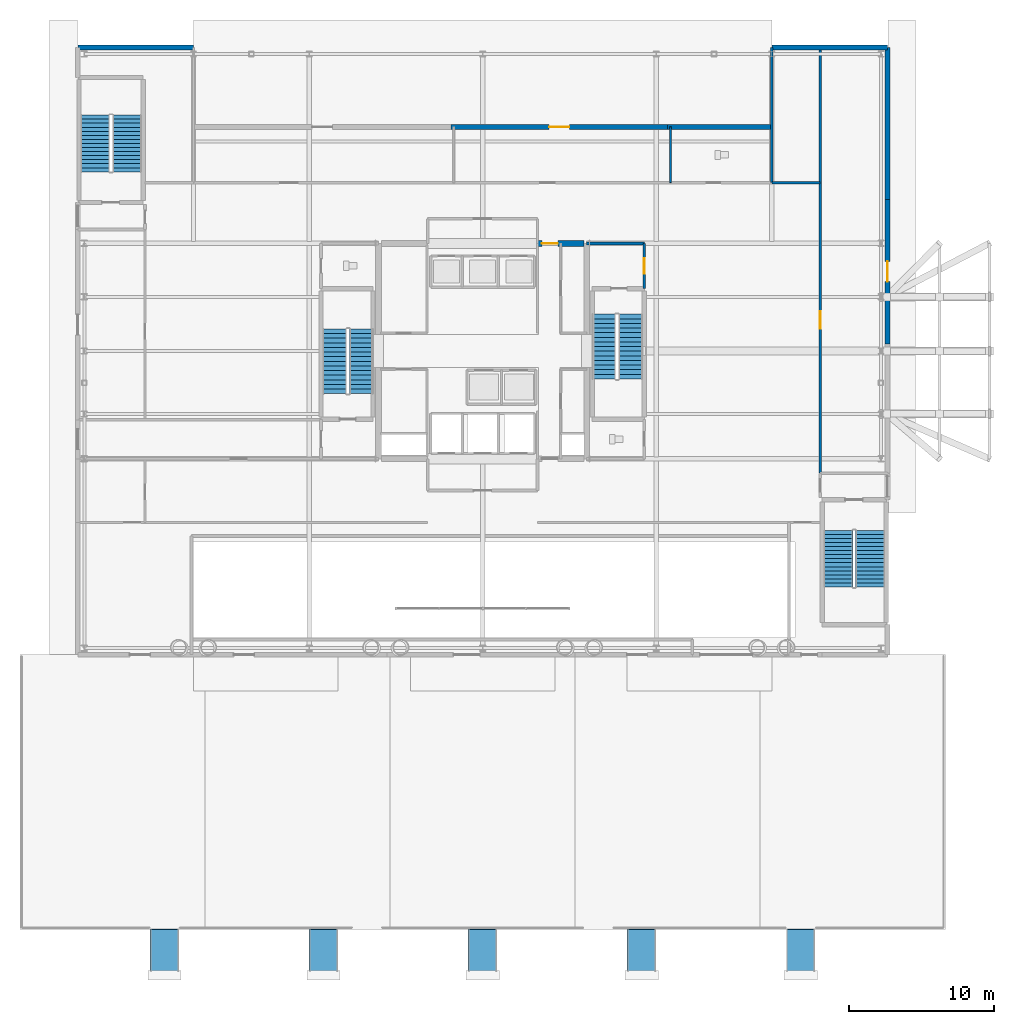
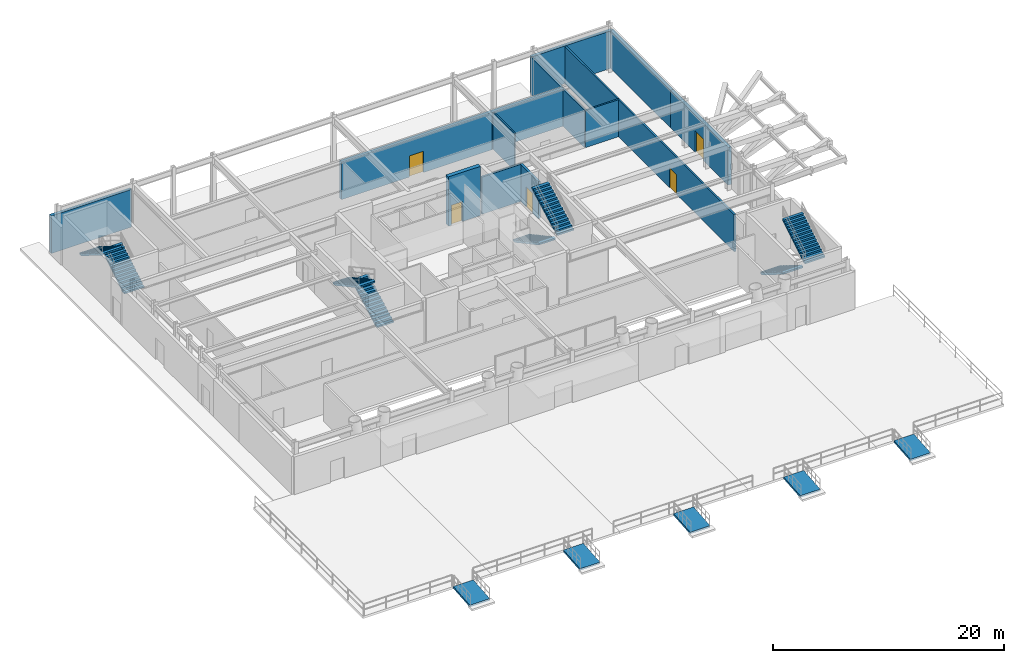
# One storey, part 14 of 19: 13 walls, 8 stair flights, 5 doors, 5 ramp flights, 5 openings, 9 elements without a shape of their own.
"""IFC4 building model written with IfcOpenShell, lengths in metres."""

from ifc_helpers import new_model, si_unit, direction, frame, frame_2d, origin, place, context, subcontext, project, spatial, polyline, rectangle, outline, extrude, material, layer, layer_set, type_object, element, fill, aggregate, save


model = new_model("IFC4")

# Units and contexts
model_context = context("Model", 3, precision=1e-05, world=origin(), true_north=direction((0.0, 1.0)))
body_context = subcontext(model_context, "Body", "Model", "MODEL_VIEW")
ifc_project = project(units=[si_unit("LENGTHUNIT", "METRE"), si_unit("AREAUNIT", "SQUARE_METRE"), si_unit("VOLUMEUNIT", "CUBIC_METRE"), si_unit("PLANEANGLEUNIT", "RADIAN"), si_unit("MASSUNIT", "GRAM", prefix="KILO")], contexts=[model_context])

# Site, building, storey
site_placement = place(None, origin())
site = spatial("IfcSite", under=ifc_project, at=site_placement, CompositionType="ELEMENT")
building_placement = place(site_placement, origin())
building = spatial("IfcBuilding", under=site, at=building_placement, Name="Veldorina Hangang Commons", CompositionType="ELEMENT")
storey_placement = place(building_placement, origin())
storey = spatial("IfcBuildingStorey", under=building, at=storey_placement, Name="L00", CompositionType="ELEMENT", Elevation=0.0)

# Wall, opening, door
ifc_material_1 = material(Name="Concrete C70/85", Category="concrete")
ifc_layer_1 = layer(ifc_material_1, 0.39990234375)
ifc_layer_set_1 = layer_set([ifc_layer_1], Name="Concrete C70/85")
wall_type_1 = type_object("IfcWallType", Name="CW-RC400-C70", PredefinedType="SHEAR", material=ifc_layer_set_1)
wall_1_placement = place(storey_placement, frame((35.800048828125, 31.449951171875, 0.0), z_axis=(0.0, 0.0, 1.0), x_axis=(1.0, 0.0, 0.0)))
wall_1 = element("IfcWall", 1, at=wall_1_placement, inside=storey, type_object=wall_type_1, Name="L00 north-east core shear wall", PredefinedType="SHEAR", context=body_context, shape_type="SweptSolid", body=[
    extrude(rectangle(XDim=3.199951171875, YDim=0.39990234375, at=frame_2d((1.60009765625, 0.0))), origin(), (0.0, 0.0, 1.0), 5.199951171875),
])
opening_1_placement = place(wall_1_placement, frame((0.300048828125, 0.0, 0.0)))
opening_1 = element("IfcOpeningElement", 2, at=opening_1_placement, cuts=wall_1, Name="Opening D-08", PredefinedType="OPENING", context=body_context, shape_type="SweptSolid", body=[
    extrude(rectangle(XDim=1.10009765625, YDim=2.10009765625, at=frame_2d((0.550048828125, 1.050048828125))), frame((0.0, 0.2099609375, 0.0), z_axis=(0.0, -1.0, 0.0), x_axis=(1.0, 0.0, 0.0)), (0.0, 0.0, 1.0), 0.419921875),
])
ifc_material_2 = material(Name="Steel Fire-Rated Smoke Seal", Category="steel")
door_type_1 = type_object("IfcDoorType", Name="DR-FIRE-1100", OperationType="SINGLE_SWING_RIGHT", PredefinedType="DOOR", material=ifc_material_2)
door_1_placement = place(opening_1_placement, origin())
door_1 = element("IfcDoor", 3, at=door_1_placement, inside=storey, type_object=door_type_1, Name="L00 central lift lobby north corridor door", OperationType="SINGLE_SWING_LEFT", OverallHeight=2.10009765625, OverallWidth=1.10009765625, PredefinedType="DOOR", context=body_context, shape_type="SweptSolid", body=[
    extrude(rectangle(XDim=1.10009765625, YDim=2.10009765625, at=frame_2d((0.550048828125, 1.050048828125))), frame((0.0, 0.02490234375, 0.0), z_axis=(0.0, -1.0, 0.0), x_axis=(1.0, 0.0, 0.0)), (0.0, 0.0, 1.0), 0.050048828125),
])
fill(opening_1, door_1)

# Walls
ifc_material_3 = material(Name="Stone Pietra Limestone", Category="masonry")
ifc_layer_2 = layer(ifc_material_3, 0.320068359375)
ifc_layer_set_2 = layer_set([ifc_layer_2], Name="Stone Pietra Limestone")
wall_type_2 = type_object("IfcWallType", Name="EW-LIME-320", PredefinedType="STANDARD", material=ifc_layer_set_2)
for number, where, z_axis, x_axis, name in (
    (4, (12.0, 45.0, 0.0), (0.0, 0.0, 1.0), (-1.0, 0.0, 0.0), "L00 north-west wing wall"),
    (5, (60.0, 45.0, 0.0), (0.0, 0.0, 1.0), (-1.0, 0.0, 0.0), "L00 north-east wing wall"),
):
    element("IfcWall", number, at=place(storey_placement, frame(where, z_axis=z_axis, x_axis=x_axis)), inside=storey, type_object=wall_type_2, Name=name, PredefinedType="STANDARD", context=body_context, shape_type="SweptSolid", body=[
        extrude(rectangle(XDim=8.0, YDim=0.320068359375, at=frame_2d((4.0, 0.0))), origin(), (0.0, 0.0, 1.0), 3.969970703125),
    ])

# Wall, opening, door
wall_2_placement = place(storey_placement, frame((44.800048828125, 39.5, 0.0), z_axis=(0.0, 0.0, 1.0), x_axis=(-1.0, 0.0, 0.0)))
wall_2 = element("IfcWall", 6, at=wall_2_placement, inside=storey, type_object=wall_type_2, Name="L00 north courtyard stone wall NC2", PredefinedType="STANDARD", context=body_context, shape_type="SweptSolid", body=[
    extrude(rectangle(XDim=15.0, YDim=0.320068359375, at=frame_2d((7.5, 0.0))), origin(), (0.0, 0.0, 1.0), 3.969970703125),
])
opening_2_placement = place(wall_2_placement, frame((6.800048828125, 0.0, 0.0)))
opening_2 = element("IfcOpeningElement", 7, at=opening_2_placement, cuts=wall_2, Name="Opening ED-S1400", PredefinedType="OPENING", context=body_context, shape_type="SweptSolid", body=[
    extrude(rectangle(XDim=1.39990234375, YDim=2.25, at=frame_2d((0.699951171875, 1.125))), frame((0.0, 0.169921875, 0.0), z_axis=(0.0, -1.0, 0.0), x_axis=(1.0, 0.0, 0.0)), (0.0, 0.0, 1.0), 0.340087890625),
])
ifc_material_4 = material(Name="Glass Framed Anodized Bronze", Category="glass")
door_type_2 = type_object("IfcDoorType", Name="DR-EXT-SHOP1400", OperationType="SINGLE_SWING_RIGHT", PredefinedType="DOOR", material=ifc_material_4)
door_2_placement = place(opening_2_placement, frame((1.39990234375, 0.0, 0.0), z_axis=(0.0, 0.0, 1.0), x_axis=(-1.0, 0.0, 0.0)))
door_2 = element("IfcDoor", 8, at=door_2_placement, inside=storey, type_object=door_type_2, Name="L00 north courtyard entrance door NC2", OperationType="SINGLE_SWING_LEFT", OverallHeight=2.25, OverallWidth=1.39990234375, PredefinedType="DOOR", context=body_context, shape_type="SweptSolid", body=[
    extrude(rectangle(XDim=1.39990234375, YDim=2.25, at=frame_2d((0.699951171875, 1.125))), frame((0.0, 0.02490234375, 0.0), z_axis=(0.0, -1.0, 0.0), x_axis=(1.0, 0.0, 0.0)), (0.0, 0.0, 1.0), 0.050048828125),
])
fill(opening_2, door_2)

# Wall
wall_3_placement = place(storey_placement, frame((52.0, 39.5, 0.0), z_axis=(0.0, 0.0, 1.0), x_axis=(-1.0, 0.0, 0.0)))
element("IfcWall", 9, at=wall_3_placement, inside=storey, type_object=wall_type_2, Name="L00 north courtyard stone wall NC3", PredefinedType="STANDARD", context=body_context, shape_type="SweptSolid", body=[
    extrude(rectangle(XDim=7.199951171875, YDim=0.320068359375, at=frame_2d((3.60009765625, 0.0))), origin(), (0.0, 0.0, 1.0), 3.969970703125),
])

# Wall, opening, door
wall_4_placement = place(storey_placement, frame((60.0, 24.5, 0.0), z_axis=(0.0, 0.0, 1.0), x_axis=(0.0, 1.0, 0.0)))
wall_4 = element("IfcWall", 10, at=wall_4_placement, inside=storey, type_object=wall_type_2, Name="L00 east podium stone wall E5", PredefinedType="STANDARD", context=body_context, shape_type="SweptSolid", body=[
    extrude(rectangle(XDim=10.0, YDim=0.320068359375, at=frame_2d((5.0, 0.0))), origin(), (0.0, 0.0, 1.0), 3.969970703125),
])
opening_3_placement = place(wall_4_placement, frame((4.300048828125, 0.0, 0.0)))
opening_3 = element("IfcOpeningElement", 11, at=opening_3_placement, cuts=wall_4, Name="Opening ED-S1400", PredefinedType="OPENING", context=body_context, shape_type="SweptSolid", body=[
    extrude(rectangle(XDim=1.39990234375, YDim=2.25, at=frame_2d((0.699951171875, 1.125))), frame((0.0, 0.169921875, 0.0), z_axis=(0.0, -1.0, 0.0), x_axis=(1.0, 0.0, 0.0)), (0.0, 0.0, 1.0), 0.340087890625),
])
door_3_placement = place(opening_3_placement, frame((1.39990234375, 0.0, 0.0), z_axis=(0.0, 0.0, 1.0), x_axis=(-1.0, 0.0, 0.0)))
door_3 = element("IfcDoor", 12, at=door_3_placement, inside=storey, type_object=door_type_2, Name="L00 east cafe street entrance door", OperationType="SINGLE_SWING_RIGHT", OverallHeight=2.25, OverallWidth=1.39990234375, PredefinedType="DOOR", context=body_context, shape_type="SweptSolid", body=[
    extrude(rectangle(XDim=1.39990234375, YDim=2.25, at=frame_2d((0.699951171875, 1.125))), frame((0.0, 0.02490234375, 0.0), z_axis=(0.0, -1.0, 0.0), x_axis=(1.0, 0.0, 0.0)), (0.0, 0.0, 1.0), 0.050048828125),
])
fill(opening_3, door_3)

# Walls
wall_5_placement = place(storey_placement, frame((60.0, 34.5, 0.0), z_axis=(0.0, 0.0, 1.0), x_axis=(0.0, 1.0, 0.0)))
element("IfcWall", 13, at=wall_5_placement, inside=storey, type_object=wall_type_2, Name="L00 east podium stone wall E6", PredefinedType="STANDARD", context=body_context, shape_type="SweptSolid", body=[
    extrude(rectangle(XDim=10.5, YDim=0.320068359375, at=frame_2d((5.25, 0.0))), origin(), (0.0, 0.0, 1.0), 3.969970703125),
])
ifc_material_5 = material(Name="Gypsum Fire-Rated Twin Stud Wall", Category="gypsum")
ifc_layer_3 = layer(ifc_material_5, 0.159912109375)
ifc_layer_set_3 = layer_set([ifc_layer_3], Name="Gypsum Fire-Rated Twin Stud Wall")
wall_type_3 = type_object("IfcWallType", Name="WL-FIRE-160", PredefinedType="SOLIDWALL", material=ifc_layer_set_3)
wall_6_placement = place(storey_placement, frame((52.0, 35.64990234375, 0.0), z_axis=(0.0, 0.0, 1.0), x_axis=(1.0, 0.0, 0.0)))
element("IfcWall", 14, at=wall_6_placement, inside=storey, type_object=wall_type_3, Name="L00 Concourse NE inner wall 056", PredefinedType="SOLIDWALL", context=body_context, shape_type="SweptSolid", body=[
    extrude(rectangle(XDim=3.35009765625, YDim=0.159912109375, at=frame_2d((1.675048828125, 0.0))), origin(), (0.0, 0.0, 1.0), 3.919921875),
])

# Wall, opening, door
wall_7_placement = place(storey_placement, frame((55.35009765625, 15.550048828125, 0.0), z_axis=(0.0, 0.0, 1.0), x_axis=(0.0, 1.0, 0.0)))
wall_7 = element("IfcWall", 15, at=wall_7_placement, inside=storey, type_object=wall_type_3, Name="L00 Concourse east wall 062", PredefinedType="SOLIDWALL", context=body_context, shape_type="SweptSolid", body=[
    extrude(rectangle(XDim=29.449951171875, YDim=0.159912109375, at=frame_2d((14.72509765625, 0.0))), origin(), (0.0, 0.0, 1.0), 3.919921875),
])
opening_4_placement = place(wall_7_placement, frame((10.0, 0.0, 0.0)))
opening_4 = element("IfcOpeningElement", 16, at=opening_4_placement, cuts=wall_7, Name="Opening D-09", PredefinedType="OPENING", context=body_context, shape_type="SweptSolid", body=[
    extrude(rectangle(XDim=1.199951171875, YDim=2.10009765625, at=frame_2d((0.60009765625, 1.050048828125))), frame((0.0, 0.08984375, 0.0), z_axis=(0.0, -1.0, 0.0), x_axis=(1.0, 0.0, 0.0)), (0.0, 0.0, 1.0), 0.179931640625),
])
ifc_material_6 = material(Name="Steel Fire-Rated Corridor Door", Category="steel")
door_type_3 = type_object("IfcDoorType", Name="DR-FIRE-1200", OperationType="SINGLE_SWING_LEFT", PredefinedType="DOOR", material=ifc_material_6)
door_4_placement = place(opening_4_placement, origin())
door_4 = element("IfcDoor", 17, at=door_4_placement, inside=storey, type_object=door_type_3, Name="L00 East cafe concourse door 029", OperationType="SINGLE_SWING_LEFT", OverallHeight=2.10009765625, OverallWidth=1.199951171875, PredefinedType="DOOR", context=body_context, shape_type="SweptSolid", body=[
    extrude(rectangle(XDim=1.199951171875, YDim=2.10009765625, at=frame_2d((0.60009765625, 1.050048828125))), frame((0.0, 0.02490234375, 0.0), z_axis=(0.0, -1.0, 0.0), x_axis=(1.0, 0.0, 0.0)), (0.0, 0.0, 1.0), 0.050048828125),
])
fill(opening_4, door_4)

# Wall
wall_8_placement = place(storey_placement, frame((52.0, 35.64990234375, 0.0), z_axis=(0.0, 0.0, 1.0), x_axis=(0.0, 1.0, 0.0)))
element("IfcWall", 18, at=wall_8_placement, inside=storey, type_object=wall_type_3, Name="L00 North courtyard east wall 065", PredefinedType="SOLIDWALL", context=body_context, shape_type="SweptSolid", body=[
    extrude(rectangle(XDim=9.35009765625, YDim=0.159912109375, at=frame_2d((4.675048828125, 0.0))), origin(), (0.0, 0.0, 1.0), 3.919921875),
])

# Wall, opening, door
ifc_material_7 = material(Name="Concrete Blockwork Fire Wall C30/37", Category="masonry")
ifc_layer_4 = layer(ifc_material_7, 0.199951171875)
ifc_layer_set_4 = layer_set([ifc_layer_4], Name="Concrete Blockwork Fire Wall C30/37")
wall_type_4 = type_object("IfcWallType", Name="WL-FIRE-200", PredefinedType="SOLIDWALL", material=ifc_layer_set_4)
wall_9_placement = place(storey_placement, frame((43.179931640625, 28.320068359375, 0.0), z_axis=(0.0, 0.0, 1.0), x_axis=(0.0, 1.0, 0.0)))
wall_9 = element("IfcWall", 19, at=wall_9_placement, inside=storey, type_object=wall_type_4, Name="L00 East vestibule outer wall 003", PredefinedType="SOLIDWALL", context=body_context, shape_type="SweptSolid", body=[
    extrude(rectangle(XDim=3.1298828125, YDim=0.199951171875, at=frame_2d((1.56494140625, 0.0))), origin(), (0.0, 0.0, 1.0), 3.919921875),
])
opening_5_placement = place(wall_9_placement, frame((1.014892578125, 0.0, 0.0)))
opening_5 = element("IfcOpeningElement", 20, at=opening_5_placement, cuts=wall_9, Name="Opening D-08", PredefinedType="OPENING", context=body_context, shape_type="SweptSolid", body=[
    extrude(rectangle(XDim=1.10009765625, YDim=2.10009765625, at=frame_2d((0.550048828125, 1.050048828125))), frame((0.0, 0.10986328125, 0.0), z_axis=(0.0, -1.0, 0.0), x_axis=(1.0, 0.0, 0.0)), (0.0, 0.0, 1.0), 0.219970703125),
])
door_5_placement = place(opening_5_placement, origin())
door_5 = element("IfcDoor", 21, at=door_5_placement, inside=storey, type_object=door_type_1, Name="L00 East vestibule east door 002", OperationType="SINGLE_SWING_RIGHT", OverallHeight=2.10009765625, OverallWidth=1.10009765625, PredefinedType="DOOR", context=body_context, shape_type="SweptSolid", body=[
    extrude(rectangle(XDim=1.10009765625, YDim=2.10009765625, at=frame_2d((0.550048828125, 1.050048828125))), frame((0.0, 0.02490234375, 0.0), z_axis=(0.0, -1.0, 0.0), x_axis=(1.0, 0.0, 0.0)), (0.0, 0.0, 1.0), 0.050048828125),
])
fill(opening_5, door_5)

# Walls
wall_10_placement = place(storey_placement, frame((39.199951171875, 31.449951171875, 0.0), z_axis=(0.0, 0.0, 1.0), x_axis=(1.0, 0.0, 0.0)))
element("IfcWall", 22, at=wall_10_placement, inside=storey, type_object=wall_type_4, Name="L00 East vestibule north wall 004", PredefinedType="SOLIDWALL", context=body_context, shape_type="SweptSolid", body=[
    extrude(rectangle(XDim=3.97998046875, YDim=0.199951171875, at=frame_2d((1.989990234375, 0.0))), origin(), (0.0, 0.0, 1.0), 3.919921875),
])
ifc_material_8 = material(Name="Gypsum Acoustic Stud Partition", Category="gypsum")
ifc_layer_5 = layer(ifc_material_8, 0.1201171875)
ifc_layer_set_5 = layer_set([ifc_layer_5], Name="Gypsum Acoustic Stud Partition")
wall_type_5 = type_object("IfcWallType", Name="WL-PART-120", PredefinedType="PARTITIONING", material=ifc_layer_set_5)
wall_11_placement = place(storey_placement, frame((45.0, 35.64990234375, 0.0), z_axis=(0.0, 0.0, 1.0), x_axis=(0.0, 1.0, 0.0)))
element("IfcWall", 23, at=wall_11_placement, inside=storey, type_object=wall_type_5, Name="L00 North office-WC split 067", PredefinedType="PARTITIONING", context=body_context, shape_type="SweptSolid", body=[
    extrude(rectangle(XDim=3.85009765625, YDim=0.1201171875, at=frame_2d((1.925048828125, 0.0))), origin(), (0.0, 0.0, 1.0), 3.919921875),
])

# Stair, stair flights
ifc_material_9 = material(Name="Concrete C40/50", Category="concrete")
stair_type_1 = type_object("IfcStairType", Name="STR-DOG-1650-30R", PredefinedType="HALF_TURN_STAIR", material=ifc_material_9)
stair_1_placement = place(storey_placement, origin())
stair_1 = element("IfcStair", 24, at=stair_1_placement, inside=storey, type_object=stair_type_1, Name="L00 Exit stair ST-1", PredefinedType="HALF_TURN_STAIR")
stair_flight_type_1 = type_object("IfcStairFlightType", Name="SFL-STR-1650-30R", PredefinedType="STRAIGHT", material=ifc_material_9)
stair_flight_1_placement = place(storey_placement, frame((23.625, 21.050048828125, 0.0), z_axis=(0.0, 0.0, 1.0), x_axis=(0.0, 1.0, 0.0)))
stair_flight_1 = element("IfcStairFlight", 25, at=stair_flight_1_placement, type_object=stair_flight_type_1, Name="ST-1 flight 1", NumberOfRisers=15, NumberOfTreads=14, PredefinedType="STRAIGHT", RiserHeight=0.173333333, TreadLength=0.32, context=body_context, shape_type="SweptSolid", body=[
    extrude(outline(polyline([(0.0, 0.0), (0.0, 0.17333984375), (0.320068359375, 0.17333984375), (0.320068359375, 0.3466796875), (0.639892578125, 0.3466796875), (0.639892578125, 0.52001953125), (0.9599609375, 0.52001953125), (0.9599609375, 0.693359375), (1.280029296875, 0.693359375), (1.280029296875, 0.86669921875), (1.60009765625, 0.86669921875), (1.60009765625, 1.0400390625), (1.919921875, 1.0400390625), (1.919921875, 1.21337890625), (2.239990234375, 1.21337890625), (2.239990234375, 1.38671875), (2.56005859375, 1.38671875), (2.56005859375, 1.56005859375), (2.8798828125, 1.56005859375), (2.8798828125, 1.7333984375), (3.199951171875, 1.7333984375), (3.199951171875, 1.90673828125), (3.52001953125, 1.90673828125), (3.52001953125, 2.080078125), (3.840087890625, 2.080078125), (3.840087890625, 2.25341796875), (4.159912109375, 2.25341796875), (4.159912109375, 2.4267578125), (4.47998046875, 2.4267578125), (4.47998046875, 2.60009765625), (4.47998046875, 2.256103515625), (0.314697265625, 0.0), (0.0, 0.0)])), frame((0.0, 0.824951171875, 0.0), z_axis=(0.0, -1.0, 0.0), x_axis=(1.0, 0.0, 0.0)), (0.0, 0.0, 1.0), 1.64990234375),
])
stair_flight_2_placement = place(storey_placement, frame((21.77490234375, 25.530029296875, 2.60009765625), z_axis=(0.0, 0.0, 1.0), x_axis=(0.0, -1.0, 0.0)))
stair_flight_2 = element("IfcStairFlight", 26, at=stair_flight_2_placement, type_object=stair_flight_type_1, Name="ST-1 flight 2", NumberOfRisers=15, NumberOfTreads=14, PredefinedType="STRAIGHT", RiserHeight=0.173333333, TreadLength=0.32, context=body_context, shape_type="SweptSolid", body=[
    extrude(outline(polyline([(0.0, 0.0), (0.0, 0.17333984375), (0.320068359375, 0.17333984375), (0.320068359375, 0.3466796875), (0.639892578125, 0.3466796875), (0.639892578125, 0.52001953125), (0.9599609375, 0.52001953125), (0.9599609375, 0.693359375), (1.280029296875, 0.693359375), (1.280029296875, 0.86669921875), (1.60009765625, 0.86669921875), (1.60009765625, 1.0400390625), (1.919921875, 1.0400390625), (1.919921875, 1.21337890625), (2.239990234375, 1.21337890625), (2.239990234375, 1.38671875), (2.56005859375, 1.38671875), (2.56005859375, 1.56005859375), (2.8798828125, 1.56005859375), (2.8798828125, 1.7333984375), (3.199951171875, 1.7333984375), (3.199951171875, 1.90673828125), (3.52001953125, 1.90673828125), (3.52001953125, 2.080078125), (3.840087890625, 2.080078125), (3.840087890625, 2.25341796875), (4.159912109375, 2.25341796875), (4.159912109375, 2.4267578125), (4.47998046875, 2.4267578125), (4.47998046875, 2.60009765625), (4.47998046875, 2.256103515625), (0.314697265625, 0.0), (0.0, 0.0)])), frame((0.0, 0.824951171875, 0.0), z_axis=(0.0, -1.0, 0.0), x_axis=(1.0, 0.0, 0.0)), (0.0, 0.0, 1.0), 1.64990234375),
])
aggregate(stair_1, [stair_flight_1, stair_flight_2])

stair_2_placement = place(storey_placement, origin())
stair_2 = element("IfcStair", 27, at=stair_2_placement, inside=storey, type_object=stair_type_1, Name="L00 Exit stair ST-2", PredefinedType="HALF_TURN_STAIR")
stair_flight_3_placement = place(storey_placement, frame((40.375, 26.550048828125, 0.0), z_axis=(0.0, 0.0, 1.0), x_axis=(0.0, -1.0, 0.0)))
stair_flight_3 = element("IfcStairFlight", 28, at=stair_flight_3_placement, type_object=stair_flight_type_1, Name="ST-2 flight 1", NumberOfRisers=15, NumberOfTreads=14, PredefinedType="STRAIGHT", RiserHeight=0.173333333, TreadLength=0.32, context=body_context, shape_type="SweptSolid", body=[
    extrude(outline(polyline([(0.0, 0.0), (0.0, 0.17333984375), (0.320068359375, 0.17333984375), (0.320068359375, 0.3466796875), (0.639892578125, 0.3466796875), (0.639892578125, 0.52001953125), (0.9599609375, 0.52001953125), (0.9599609375, 0.693359375), (1.280029296875, 0.693359375), (1.280029296875, 0.86669921875), (1.60009765625, 0.86669921875), (1.60009765625, 1.0400390625), (1.919921875, 1.0400390625), (1.919921875, 1.21337890625), (2.239990234375, 1.21337890625), (2.239990234375, 1.38671875), (2.56005859375, 1.38671875), (2.56005859375, 1.56005859375), (2.8798828125, 1.56005859375), (2.8798828125, 1.7333984375), (3.199951171875, 1.7333984375), (3.199951171875, 1.90673828125), (3.52001953125, 1.90673828125), (3.52001953125, 2.080078125), (3.840087890625, 2.080078125), (3.840087890625, 2.25341796875), (4.159912109375, 2.25341796875), (4.159912109375, 2.4267578125), (4.47998046875, 2.4267578125), (4.47998046875, 2.60009765625), (4.47998046875, 2.256103515625), (0.314697265625, 0.0), (0.0, 0.0)])), frame((0.0, 0.824951171875, 0.0), z_axis=(0.0, -1.0, 0.0), x_axis=(1.0, 0.0, 0.0)), (0.0, 0.0, 1.0), 1.64990234375),
])
stair_flight_4_placement = place(storey_placement, frame((42.22509765625, 22.070068359375, 2.60009765625), z_axis=(0.0, 0.0, 1.0), x_axis=(0.0, 1.0, 0.0)))
stair_flight_4 = element("IfcStairFlight", 29, at=stair_flight_4_placement, type_object=stair_flight_type_1, Name="ST-2 flight 2", NumberOfRisers=15, NumberOfTreads=14, PredefinedType="STRAIGHT", RiserHeight=0.173333333, TreadLength=0.32, context=body_context, shape_type="SweptSolid", body=[
    extrude(outline(polyline([(0.0, 0.0), (0.0, 0.17333984375), (0.320068359375, 0.17333984375), (0.320068359375, 0.3466796875), (0.639892578125, 0.3466796875), (0.639892578125, 0.52001953125), (0.9599609375, 0.52001953125), (0.9599609375, 0.693359375), (1.280029296875, 0.693359375), (1.280029296875, 0.86669921875), (1.60009765625, 0.86669921875), (1.60009765625, 1.0400390625), (1.919921875, 1.0400390625), (1.919921875, 1.21337890625), (2.239990234375, 1.21337890625), (2.239990234375, 1.38671875), (2.56005859375, 1.38671875), (2.56005859375, 1.56005859375), (2.8798828125, 1.56005859375), (2.8798828125, 1.7333984375), (3.199951171875, 1.7333984375), (3.199951171875, 1.90673828125), (3.52001953125, 1.90673828125), (3.52001953125, 2.080078125), (3.840087890625, 2.080078125), (3.840087890625, 2.25341796875), (4.159912109375, 2.25341796875), (4.159912109375, 2.4267578125), (4.47998046875, 2.4267578125), (4.47998046875, 2.60009765625), (4.47998046875, 2.256103515625), (0.314697265625, 0.0), (0.0, 0.0)])), frame((0.0, 0.824951171875, 0.0), z_axis=(0.0, -1.0, 0.0), x_axis=(1.0, 0.0, 0.0)), (0.0, 0.0, 1.0), 1.64990234375),
])
aggregate(stair_2, [stair_flight_3, stair_flight_4])

stair_type_2 = type_object("IfcStairType", Name="STR-DOG-2000-30R", PredefinedType="HALF_TURN_STAIR", material=ifc_material_9)
stair_3_placement = place(storey_placement, origin())
stair_3 = element("IfcStair", 30, at=stair_3_placement, inside=storey, type_object=stair_type_2, Name="L00 Exit stair ST-P1", PredefinedType="HALF_TURN_STAIR")
stair_flight_type_2 = type_object("IfcStairFlightType", Name="SFL-STR-2000-30R", PredefinedType="STRAIGHT", material=ifc_material_9)
stair_flight_5_placement = place(storey_placement, frame((7.39990234375, 36.39990234375, 0.0), z_axis=(0.0, 0.0, 1.0), x_axis=(0.0, 1.0, 0.0)))
stair_flight_5 = element("IfcStairFlight", 31, at=stair_flight_5_placement, type_object=stair_flight_type_2, Name="ST-P1 flight 1", NumberOfRisers=15, NumberOfTreads=14, PredefinedType="STRAIGHT", RiserHeight=0.173333333, TreadLength=0.28, context=body_context, shape_type="SweptSolid", body=[
    extrude(outline(polyline([(0.0, 0.0), (0.0, 0.17333984375), (0.280029296875, 0.17333984375), (0.280029296875, 0.3466796875), (0.56005859375, 0.3466796875), (0.56005859375, 0.52001953125), (0.840087890625, 0.52001953125), (0.840087890625, 0.693359375), (1.1201171875, 0.693359375), (1.1201171875, 0.86669921875), (1.39990234375, 0.86669921875), (1.39990234375, 1.0400390625), (1.679931640625, 1.0400390625), (1.679931640625, 1.21337890625), (1.9599609375, 1.21337890625), (1.9599609375, 1.38671875), (2.239990234375, 1.38671875), (2.239990234375, 1.56005859375), (2.52001953125, 1.56005859375), (2.52001953125, 1.7333984375), (2.800048828125, 1.7333984375), (2.800048828125, 1.90673828125), (3.080078125, 1.90673828125), (3.080078125, 2.080078125), (3.360107421875, 2.080078125), (3.360107421875, 2.25341796875), (3.639892578125, 2.25341796875), (3.639892578125, 2.4267578125), (3.919921875, 2.4267578125), (3.919921875, 2.60009765625), (3.919921875, 2.250244140625), (0.284912109375, 0.0), (0.0, 0.0)])), frame((0.0, 1.0, 0.0), z_axis=(0.0, -1.0, 0.0), x_axis=(1.0, 0.0, 0.0)), (0.0, 0.0, 1.0), 2.0),
])
stair_flight_6_placement = place(storey_placement, frame((5.199951171875, 40.320068359375, 2.60009765625), z_axis=(0.0, 0.0, 1.0), x_axis=(0.0, -1.0, 0.0)))
stair_flight_6 = element("IfcStairFlight", 32, at=stair_flight_6_placement, type_object=stair_flight_type_2, Name="ST-P1 flight 2", NumberOfRisers=15, NumberOfTreads=14, PredefinedType="STRAIGHT", RiserHeight=0.173333333, TreadLength=0.28, context=body_context, shape_type="SweptSolid", body=[
    extrude(outline(polyline([(0.0, 0.0), (0.0, 0.17333984375), (0.280029296875, 0.17333984375), (0.280029296875, 0.3466796875), (0.56005859375, 0.3466796875), (0.56005859375, 0.52001953125), (0.840087890625, 0.52001953125), (0.840087890625, 0.693359375), (1.1201171875, 0.693359375), (1.1201171875, 0.86669921875), (1.39990234375, 0.86669921875), (1.39990234375, 1.0400390625), (1.679931640625, 1.0400390625), (1.679931640625, 1.21337890625), (1.9599609375, 1.21337890625), (1.9599609375, 1.38671875), (2.239990234375, 1.38671875), (2.239990234375, 1.56005859375), (2.52001953125, 1.56005859375), (2.52001953125, 1.7333984375), (2.800048828125, 1.7333984375), (2.800048828125, 1.90673828125), (3.080078125, 1.90673828125), (3.080078125, 2.080078125), (3.360107421875, 2.080078125), (3.360107421875, 2.25341796875), (3.639892578125, 2.25341796875), (3.639892578125, 2.4267578125), (3.919921875, 2.4267578125), (3.919921875, 2.60009765625), (3.919921875, 2.250244140625), (0.284912109375, 0.0), (0.0, 0.0)])), frame((0.0, 1.0, 0.0), z_axis=(0.0, -1.0, 0.0), x_axis=(1.0, 0.0, 0.0)), (0.0, 0.0, 1.0), 2.0),
])
aggregate(stair_3, [stair_flight_5, stair_flight_6])

stair_4_placement = place(storey_placement, origin())
stair_4 = element("IfcStair", 33, at=stair_4_placement, inside=storey, type_object=stair_type_2, Name="L00 Exit stair ST-P2", PredefinedType="HALF_TURN_STAIR")
stair_flight_7_placement = place(storey_placement, frame((56.60009765625, 11.60009765625, 0.0), z_axis=(0.0, 0.0, 1.0), x_axis=(0.0, -1.0, 0.0)))
stair_flight_7 = element("IfcStairFlight", 34, at=stair_flight_7_placement, type_object=stair_flight_type_2, Name="ST-P2 flight 1", NumberOfRisers=15, NumberOfTreads=14, PredefinedType="STRAIGHT", RiserHeight=0.173333333, TreadLength=0.28, context=body_context, shape_type="SweptSolid", body=[
    extrude(outline(polyline([(0.0, 0.0), (0.0, 0.17333984375), (0.280029296875, 0.17333984375), (0.280029296875, 0.3466796875), (0.56005859375, 0.3466796875), (0.56005859375, 0.52001953125), (0.840087890625, 0.52001953125), (0.840087890625, 0.693359375), (1.1201171875, 0.693359375), (1.1201171875, 0.86669921875), (1.39990234375, 0.86669921875), (1.39990234375, 1.0400390625), (1.679931640625, 1.0400390625), (1.679931640625, 1.21337890625), (1.9599609375, 1.21337890625), (1.9599609375, 1.38671875), (2.239990234375, 1.38671875), (2.239990234375, 1.56005859375), (2.52001953125, 1.56005859375), (2.52001953125, 1.7333984375), (2.800048828125, 1.7333984375), (2.800048828125, 1.90673828125), (3.080078125, 1.90673828125), (3.080078125, 2.080078125), (3.360107421875, 2.080078125), (3.360107421875, 2.25341796875), (3.639892578125, 2.25341796875), (3.639892578125, 2.4267578125), (3.919921875, 2.4267578125), (3.919921875, 2.60009765625), (3.919921875, 2.250244140625), (0.284912109375, 0.0), (0.0, 0.0)])), frame((0.0, 1.0, 0.0), z_axis=(0.0, -1.0, 0.0), x_axis=(1.0, 0.0, 0.0)), (0.0, 0.0, 1.0), 2.0),
])
stair_flight_8_placement = place(storey_placement, frame((58.800048828125, 7.679931640625, 2.60009765625), z_axis=(0.0, 0.0, 1.0), x_axis=(0.0, 1.0, 0.0)))
stair_flight_8 = element("IfcStairFlight", 35, at=stair_flight_8_placement, type_object=stair_flight_type_2, Name="ST-P2 flight 2", NumberOfRisers=15, NumberOfTreads=14, PredefinedType="STRAIGHT", RiserHeight=0.173333333, TreadLength=0.28, context=body_context, shape_type="SweptSolid", body=[
    extrude(outline(polyline([(0.0, 0.0), (0.0, 0.17333984375), (0.280029296875, 0.17333984375), (0.280029296875, 0.3466796875), (0.56005859375, 0.3466796875), (0.56005859375, 0.52001953125), (0.840087890625, 0.52001953125), (0.840087890625, 0.693359375), (1.1201171875, 0.693359375), (1.1201171875, 0.86669921875), (1.39990234375, 0.86669921875), (1.39990234375, 1.0400390625), (1.679931640625, 1.0400390625), (1.679931640625, 1.21337890625), (1.9599609375, 1.21337890625), (1.9599609375, 1.38671875), (2.239990234375, 1.38671875), (2.239990234375, 1.56005859375), (2.52001953125, 1.56005859375), (2.52001953125, 1.7333984375), (2.800048828125, 1.7333984375), (2.800048828125, 1.90673828125), (3.080078125, 1.90673828125), (3.080078125, 2.080078125), (3.360107421875, 2.080078125), (3.360107421875, 2.25341796875), (3.639892578125, 2.25341796875), (3.639892578125, 2.4267578125), (3.919921875, 2.4267578125), (3.919921875, 2.60009765625), (3.919921875, 2.250244140625), (0.284912109375, 0.0), (0.0, 0.0)])), frame((0.0, 1.0, 0.0), z_axis=(0.0, -1.0, 0.0), x_axis=(1.0, 0.0, 0.0)), (0.0, 0.0, 1.0), 2.0),
])
aggregate(stair_4, [stair_flight_7, stair_flight_8])

# Ramp, ramp flight
ifc_material_10 = material(Name="Concrete C35/45", Category="concrete")
ramp_type = type_object("IfcRampType", Name="RMP-PED-SYS", PredefinedType="STRAIGHT_RUN_RAMP", material=ifc_material_10)
ramp_1_placement = place(storey_placement, origin())
ramp_1 = element("IfcRamp", 36, at=ramp_1_placement, inside=storey, type_object=ramp_type, Name="Waterfront accessible pedestrian ramp 1", PredefinedType="STRAIGHT_RUN_RAMP")
ifc_layer_6 = layer(ifc_material_10, 0.199951171875)
ifc_layer_set_6 = layer_set([ifc_layer_6], Name="Concrete C35/45")
ramp_flight_type = type_object("IfcRampFlightType", Name="RMP-PED-FLT-200", PredefinedType="STRAIGHT", material=ifc_layer_set_6)
ramp_flight_1_placement = place(storey_placement, frame((9.0, -18.8798828125, -0.239990234375), z_axis=(0.0, -0.083045479854, 0.996545758245), x_axis=(0.0, 0.996545758245, 0.083045479854)))
ramp_flight_1 = element("IfcRampFlight", 37, at=ramp_flight_1_placement, type_object=ramp_flight_type, Name="Waterfront accessible pedestrian ramp 1 flight", PredefinedType="STRAIGHT", context=body_context, shape_type="SweptSolid", body=[
    extrude(outline(polyline([(0.0, 0.0), (2.889892578125, 0.0), (2.889892578125, -2.0), (0.0, -2.0), (0.0, 0.0)])), origin(), (0.0, 0.0, -1.0), 0.199951171875),
])
aggregate(ramp_1, [ramp_flight_1])

ramp_2_placement = place(storey_placement, origin())
ramp_2 = element("IfcRamp", 38, at=ramp_2_placement, inside=storey, type_object=ramp_type, Name="Waterfront accessible pedestrian ramp 2", PredefinedType="STRAIGHT_RUN_RAMP")
ramp_flight_2_placement = place(storey_placement, frame((20.0, -18.8798828125, -0.239990234375), z_axis=(0.0, -0.083045479854, 0.996545758245), x_axis=(0.0, 0.996545758245, 0.083045479854)))
ramp_flight_2 = element("IfcRampFlight", 39, at=ramp_flight_2_placement, type_object=ramp_flight_type, Name="Waterfront accessible pedestrian ramp 2 flight", PredefinedType="STRAIGHT", context=body_context, shape_type="SweptSolid", body=[
    extrude(outline(polyline([(0.0, 0.0), (2.889892578125, 0.0), (2.889892578125, -2.0), (0.0, -2.0), (0.0, 0.0)])), origin(), (0.0, 0.0, -1.0), 0.199951171875),
])
aggregate(ramp_2, [ramp_flight_2])

ramp_3_placement = place(storey_placement, origin())
ramp_3 = element("IfcRamp", 40, at=ramp_3_placement, inside=storey, type_object=ramp_type, Name="Waterfront accessible pedestrian ramp 3", PredefinedType="STRAIGHT_RUN_RAMP")
ramp_flight_3_placement = place(storey_placement, frame((31.0, -18.8798828125, -0.239990234375), z_axis=(0.0, -0.083045479854, 0.996545758245), x_axis=(0.0, 0.996545758245, 0.083045479854)))
ramp_flight_3 = element("IfcRampFlight", 41, at=ramp_flight_3_placement, type_object=ramp_flight_type, Name="Waterfront accessible pedestrian ramp 3 flight", PredefinedType="STRAIGHT", context=body_context, shape_type="SweptSolid", body=[
    extrude(outline(polyline([(0.0, 0.0), (2.889892578125, 0.0), (2.889892578125, -2.0), (0.0, -2.0), (0.0, 0.0)])), origin(), (0.0, 0.0, -1.0), 0.199951171875),
])
aggregate(ramp_3, [ramp_flight_3])

ramp_4_placement = place(storey_placement, origin())
ramp_4 = element("IfcRamp", 42, at=ramp_4_placement, inside=storey, type_object=ramp_type, Name="Waterfront accessible pedestrian ramp 4", PredefinedType="STRAIGHT_RUN_RAMP")
ramp_flight_4_placement = place(storey_placement, frame((42.0, -18.8798828125, -0.239990234375), z_axis=(0.0, -0.083045479854, 0.996545758245), x_axis=(0.0, 0.996545758245, 0.083045479854)))
ramp_flight_4 = element("IfcRampFlight", 43, at=ramp_flight_4_placement, type_object=ramp_flight_type, Name="Waterfront accessible pedestrian ramp 4 flight", PredefinedType="STRAIGHT", context=body_context, shape_type="SweptSolid", body=[
    extrude(outline(polyline([(0.0, 0.0), (2.889892578125, 0.0), (2.889892578125, -2.0), (0.0, -2.0), (0.0, 0.0)])), origin(), (0.0, 0.0, -1.0), 0.199951171875),
])
aggregate(ramp_4, [ramp_flight_4])

ramp_5_placement = place(storey_placement, origin())
ramp_5 = element("IfcRamp", 44, at=ramp_5_placement, inside=storey, type_object=ramp_type, Name="Waterfront accessible pedestrian ramp 5", PredefinedType="STRAIGHT_RUN_RAMP")
ramp_flight_5_placement = place(storey_placement, frame((53.0, -18.8798828125, -0.239990234375), z_axis=(0.0, -0.083045479854, 0.996545758245), x_axis=(0.0, 0.996545758245, 0.083045479854)))
ramp_flight_5 = element("IfcRampFlight", 45, at=ramp_flight_5_placement, type_object=ramp_flight_type, Name="Waterfront accessible pedestrian ramp 5 flight", PredefinedType="STRAIGHT", context=body_context, shape_type="SweptSolid", body=[
    extrude(outline(polyline([(0.0, 0.0), (2.889892578125, 0.0), (2.889892578125, -2.0), (0.0, -2.0), (0.0, 0.0)])), origin(), (0.0, 0.0, -1.0), 0.199951171875),
])
aggregate(ramp_5, [ramp_flight_5])

save(model, "model.ifc")
